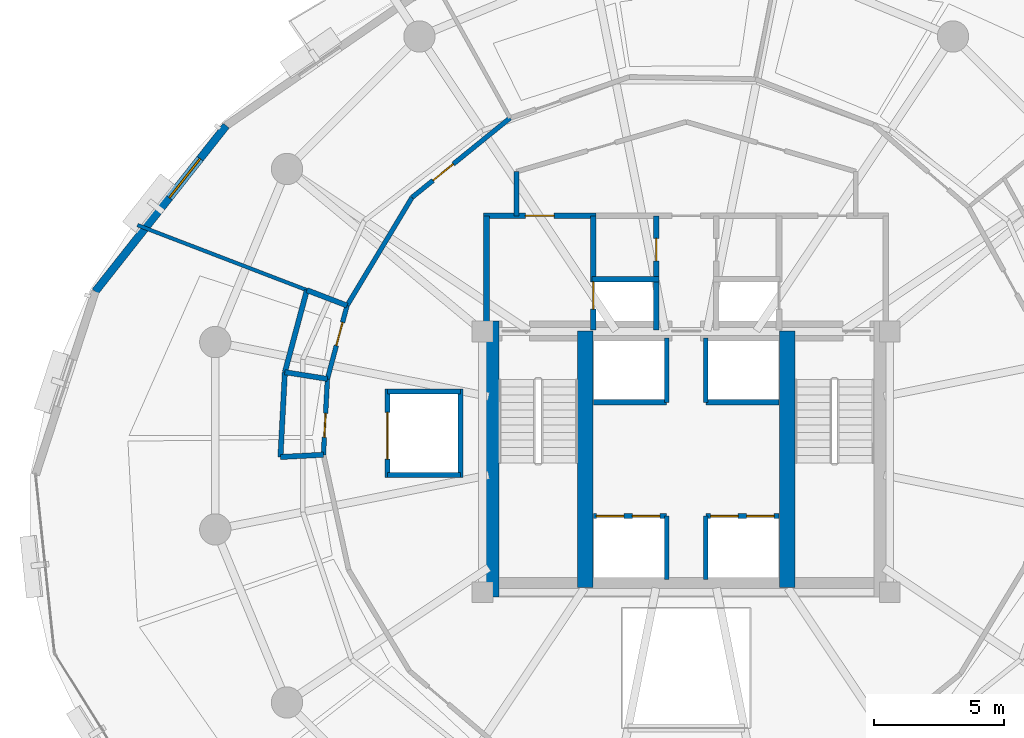
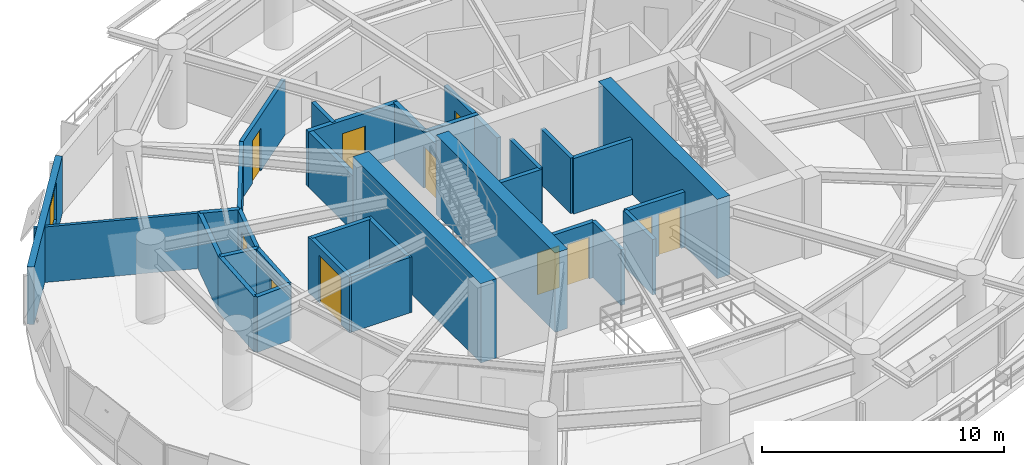
# One storey, part 10 of 15: 32 walls, 11 doors, 1 window, 12 openings.
"""IFC4 building model written with IfcOpenShell, lengths in metres."""

from ifc_helpers import new_model, si_unit, direction, frame, frame_2d, origin, place, context, subcontext, project, spatial, rectangle, extrude, material, layer, layer_set, type_object, element, fill, save


model = new_model("IFC4")

# Units and contexts
model_context = context("Model", 3, precision=1e-05, world=origin(), true_north=direction((0.0, 1.0)))
body_context = subcontext(model_context, "Body", "Model", "MODEL_VIEW")
ifc_project = project(units=[si_unit("LENGTHUNIT", "METRE"), si_unit("AREAUNIT", "SQUARE_METRE"), si_unit("VOLUMEUNIT", "CUBIC_METRE"), si_unit("PLANEANGLEUNIT", "RADIAN"), si_unit("MASSUNIT", "GRAM", prefix="KILO"), si_unit("THERMODYNAMICTEMPERATUREUNIT", "KELVIN"), si_unit("POWERUNIT", "WATT")], contexts=[model_context])

# Site, building, storey
site_placement = place(None, origin())
site = spatial("IfcSite", under=ifc_project, at=site_placement, CompositionType="ELEMENT")
building_placement = place(site_placement, origin())
building = spatial("IfcBuilding", under=site, at=building_placement, Name="Ocrelia Relay Tower", CompositionType="ELEMENT")
storey_placement = place(building_placement, frame((0.0, 0.0, 113.800048828125)))
storey = spatial("IfcBuildingStorey", under=building, at=storey_placement, Name="L26", CompositionType="ELEMENT", Elevation=113.800048828125)

# Walls
ifc_material_1 = material(Name="Concrete C60/75", Category="concrete")
ifc_layer_1 = layer(ifc_material_1, 0.75, Name="Concrete C60/75")
ifc_layer_set_1 = layer_set([ifc_layer_1], Name="Concrete C60/75")
wall_type_1 = type_object("IfcWallType", Name="CW-CORE-750", PredefinedType="SHEAR", material=ifc_layer_set_1)
wall_1_placement = place(storey_placement, frame((26.447021484375, 19.81201171875, 0.0), z_axis=(0.0, 0.0, 1.0), x_axis=(0.0, 1.0, 0.0)))
element("IfcWall", 1, at=wall_1_placement, inside=storey, type_object=wall_type_1, Name="L26 Core Shear Wall W", PredefinedType="SHEAR", context=body_context, shape_type="SweptSolid", body=[
    extrude(rectangle(XDim=10.575927734375, YDim=0.75, at=frame_2d((5.2880859375, 0.0))), origin(), (0.0, 0.0, 1.0), 4.0),
])
for number, where, z_axis, x_axis, name in (
    (2, (30.137939453125, 20.18701171875, 0.0), (0.0, 0.0, 1.0), (0.0, 1.0, 0.0), "L26 Core Shear Wall SPW"),
    (3, (37.8720703125, 20.18701171875, 0.0), (0.0, 0.0, 1.0), (0.0, 1.0, 0.0), "L26 Core Shear Wall SPE"),
):
    element("IfcWall", number, at=place(storey_placement, frame(where, z_axis=z_axis, x_axis=x_axis)), inside=storey, type_object=wall_type_1, Name=name, PredefinedType="SHEAR", context=body_context, shape_type="SweptSolid", body=[
        extrude(rectangle(XDim=9.825927734375, YDim=0.60009765625, at=frame_2d((4.9130859375, 0.0))), origin(), (0.0, 0.0, 1.0), 4.0),
    ])
ifc_material_2 = material(Name="Gypsum Fireboard Partition EI60", Category="gypsum")
ifc_layer_2 = layer(ifc_material_2, 0.179931640625, Name="Gypsum Fireboard Partition EI60")
ifc_layer_set_2 = layer_set([ifc_layer_2], Name="Gypsum Fireboard Partition EI60")
wall_type_2 = type_object("IfcWallType", Name="W-CORR-EI60-180", PredefinedType="PARTITIONING", material=ifc_layer_set_2)
wall_2_placement = place(storey_placement, frame((27.5, 34.429931640625, 0.0), z_axis=(0.0, 0.0, 1.0), x_axis=(0.0, 1.0, 0.0)))
element("IfcWall", 4, at=wall_2_placement, inside=storey, type_object=wall_type_2, Name="L26 Smoke Lobby West Return", PredefinedType="PARTITIONING", context=body_context, shape_type="SweptSolid", body=[
    extrude(rectangle(XDim=1.69287109375, YDim=0.179931640625, at=frame_2d((0.846435546875, 0.0))), origin(), (0.0, 0.0, 1.0), 2.800048828125),
])

# Wall, opening, door
wall_3_placement = place(storey_placement, frame((21.004638671875, 30.988525390625, 0.0), z_axis=(0.0, 0.0, 1.0), x_axis=(-0.258805973518, -0.965929328715, 0.0)))
wall_3 = element("IfcWall", 5, at=wall_3_placement, inside=storey, type_object=wall_type_2, Name="L26 Staff Toilet Corridor Wall", PredefinedType="PARTITIONING", context=body_context, shape_type="SweptSolid", body=[
    extrude(rectangle(XDim=2.91015625, YDim=0.179931640625, at=frame_2d((1.455078125, 0.0))), origin(), (0.0, 0.0, 1.0), 2.800048828125),
])
opening_1_placement = place(wall_3_placement, frame((0.6689453125, 0.0, 0.0)))
opening_1 = element("IfcOpeningElement", 6, at=opening_1_placement, cuts=wall_3, Name="Opening D-WC92", PredefinedType="OPENING", context=body_context, shape_type="SweptSolid", body=[
    extrude(rectangle(XDim=0.919921875, YDim=2.10009765625, at=frame_2d((0.4599609375, 1.050048828125))), frame((0.0, 0.10009765625, 0.0), z_axis=(0.0, -1.0, 0.0), x_axis=(1.0, 0.0, 0.0)), (0.0, 0.0, 1.0), 0.199951171875),
])
ifc_material_3 = material(Name="Laminate washroom door", Category="wood")
door_type_1 = type_object("IfcDoorType", Name="DR-WC-920", OperationType="NOTDEFINED", PredefinedType="DOOR", material=ifc_material_3)
door_1_placement = place(opening_1_placement, origin())
door_1 = element("IfcDoor", 7, at=door_1_placement, inside=storey, type_object=door_type_1, Name="L26 Staff Toilet Door", OperationType="SINGLE_SWING_RIGHT", OverallHeight=2.10009765625, OverallWidth=0.919921875, PredefinedType="DOOR", context=body_context, shape_type="SweptSolid", body=[
    extrude(rectangle(XDim=0.919921875, YDim=2.10009765625, at=frame_2d((0.4599609375, 1.050048828125))), frame((0.0, 0.02490234375, 0.0), z_axis=(0.0, -1.0, 0.0), x_axis=(1.0, 0.0, 0.0)), (0.0, 0.0, 1.0), 0.050048828125),
])
fill(opening_1, door_1)

wall_4_placement = place(storey_placement, frame((20.25146484375, 28.177490234375, 0.0), z_axis=(0.0, 0.0, 1.0), x_axis=(-0.052351870048, -0.99862870062, 0.0)))
wall_4 = element("IfcWall", 8, at=wall_4_placement, inside=storey, type_object=wall_type_2, Name="L26 Accessible Toilet Corridor Wall", PredefinedType="PARTITIONING", context=body_context, shape_type="SweptSolid", body=[
    extrude(rectangle(XDim=2.909912109375, YDim=0.179931640625, at=frame_2d((1.455078125, 0.0))), origin(), (0.0, 0.0, 1.0), 2.800048828125),
])
opening_2_placement = place(wall_4_placement, frame((1.321044921875, 0.0, 0.0)))
opening_2 = element("IfcOpeningElement", 9, at=opening_2_placement, cuts=wall_4, Name="Opening D-WC92", PredefinedType="OPENING", context=body_context, shape_type="SweptSolid", body=[
    extrude(rectangle(XDim=0.919921875, YDim=2.10009765625, at=frame_2d((0.4599609375, 1.050048828125))), frame((0.0, 0.10009765625, 0.0), z_axis=(0.0, -1.0, 0.0), x_axis=(1.0, 0.0, 0.0)), (0.0, 0.0, 1.0), 0.199951171875),
])
door_2_placement = place(opening_2_placement, origin())
door_2 = element("IfcDoor", 10, at=door_2_placement, inside=storey, type_object=door_type_1, Name="L26 Accessible Toilet Door", OperationType="SINGLE_SWING_LEFT", OverallHeight=2.10009765625, OverallWidth=0.919921875, PredefinedType="DOOR", context=body_context, shape_type="SweptSolid", body=[
    extrude(rectangle(XDim=0.919921875, YDim=2.10009765625, at=frame_2d((0.4599609375, 1.050048828125))), frame((0.0, 0.02490234375, 0.0), z_axis=(0.0, -1.0, 0.0), x_axis=(1.0, 0.0, 0.0)), (0.0, 0.0, 1.0), 0.050048828125),
])
fill(opening_2, door_2)

wall_5_placement = place(storey_placement, frame((27.25146484375, 38.1748046875, 0.0), z_axis=(0.0, 0.0, 1.0), x_axis=(-0.777140194095, -0.629327513082, 0.0)))
wall_5 = element("IfcWall", 11, at=wall_5_placement, inside=storey, type_object=wall_type_2, Name="L26 Fiber Patch Store Corridor Partition 1", PredefinedType="PARTITIONING", context=body_context, shape_type="SweptSolid", body=[
    extrude(rectangle(XDim=4.83447265625, YDim=0.179931640625, at=frame_2d((2.417236328125, 0.0))), origin(), (0.0, 0.0, 1.0), 2.800048828125),
])
opening_3_placement = place(wall_5_placement, frame((2.80078125, 0.0, 0.0)))
opening_3 = element("IfcOpeningElement", 12, at=opening_3_placement, cuts=wall_5, Name="Opening D-RM100", PredefinedType="OPENING", context=body_context, shape_type="SweptSolid", body=[
    extrude(rectangle(XDim=1.0, YDim=2.14990234375, at=frame_2d((0.5, 1.074951171875))), frame((0.0, 0.10009765625, 0.0), z_axis=(0.0, -1.0, 0.0), x_axis=(1.0, 0.0, 0.0)), (0.0, 0.0, 1.0), 0.199951171875),
])
ifc_material_4 = material(Name="Acoustic oak veneer fire door", Category="wood")
door_type_2 = type_object("IfcDoorType", Name="DR-ROOM-FD60-1000", OperationType="NOTDEFINED", PredefinedType="DOOR", material=ifc_material_4)
door_3_placement = place(opening_3_placement, origin())
door_3 = element("IfcDoor", 13, at=door_3_placement, inside=storey, type_object=door_type_2, Name="L26 Fiber Patch Store Entrance Door", OperationType="SINGLE_SWING_RIGHT", OverallHeight=2.14990234375, OverallWidth=1.0, PredefinedType="DOOR", context=body_context, shape_type="SweptSolid", body=[
    extrude(rectangle(XDim=1.0, YDim=2.14990234375, at=frame_2d((0.5, 1.074951171875))), frame((0.0, 0.02490234375, 0.0), z_axis=(0.0, -1.0, 0.0), x_axis=(1.0, 0.0, 0.0)), (0.0, 0.0, 1.0), 0.050048828125),
])
fill(opening_3, door_3)

# Wall
wall_6_placement = place(storey_placement, frame((23.494384765625, 35.13232421875, 0.0), z_axis=(0.0, 0.0, 1.0), x_axis=(-0.515022962095, -0.857176381216, 0.0)))
element("IfcWall", 14, at=wall_6_placement, inside=storey, type_object=wall_type_2, Name="L26 Fiber Patch Store Corridor Partition 2", PredefinedType="PARTITIONING", context=body_context, shape_type="SweptSolid", body=[
    extrude(rectangle(XDim=4.834228515625, YDim=0.179931640625, at=frame_2d((2.4169921875, 0.0))), origin(), (0.0, 0.0, 1.0), 2.800048828125),
])

# Wall, opening, window
ifc_material_5 = material(Name="Precast concrete C40/50 with oxide terracotta", Category="masonry")
ifc_layer_3 = layer(ifc_material_5, 0.300048828125, Name="Precast concrete C40/50 with oxide terracotta")
ifc_layer_set_3 = layer_set([ifc_layer_3], Name="Precast concrete C40/50 with oxide terracotta")
wall_type_3 = type_object("IfcWallType", Name="W-EXT-TERR-300", PredefinedType="SOLIDWALL", material=ifc_layer_set_3)
wall_7_placement = place(storey_placement, frame((16.37109375, 37.882080078125, 0.0), z_axis=(0.0, 0.0, 1.0), x_axis=(-0.619524983764, -0.784976938828, 0.0)))
wall_7 = element("IfcWall", 15, at=wall_7_placement, inside=storey, type_object=wall_type_3, Name="L26 Oxide Terracotta Facade Wall 07", PredefinedType="SOLIDWALL", context=body_context, shape_type="SweptSolid", body=[
    extrude(rectangle(XDim=8.09521484375, YDim=0.300048828125, at=frame_2d((4.047607421875, 0.0))), origin(), (0.0, 0.0, 1.0), 2.89990234375),
])
opening_4_placement = place(wall_7_placement, frame((1.614990234375, 0.0, 0.800048828125)))
opening_4 = element("IfcOpeningElement", 16, at=opening_4_placement, cuts=wall_7, Name="Opening W-06", PredefinedType="OPENING", context=body_context, shape_type="SweptSolid", body=[
    extrude(rectangle(XDim=1.89990234375, YDim=1.949951171875, at=frame_2d((0.949951171875, 0.97509765625))), frame((0.0, 0.16015625, 0.0), z_axis=(0.0, -1.0, 0.0), x_axis=(1.0, 0.0, 0.0)), (0.0, 0.0, 1.0), 0.320068359375),
])
ifc_material_6 = material(Name="Clear double-glazed low-E glass", Category="glass")
window_type = type_object("IfcWindowType", Name="WIN-Z2-1900x2100", PartitioningType="DOUBLE_PANEL_VERTICAL", PredefinedType="WINDOW", material=ifc_material_6)
window_placement = place(opening_4_placement, origin())
window = element("IfcWindow", 17, at=window_placement, inside=storey, type_object=window_type, Name="L26 Facade Module Window 07", OverallHeight=1.949951171875, OverallWidth=1.89990234375, PartitioningType="SINGLE_PANEL", PredefinedType="WINDOW", context=body_context, shape_type="SweptSolid", body=[
    extrude(rectangle(XDim=1.89990234375, YDim=1.949951171875, at=frame_2d((0.949951171875, 0.97509765625))), frame((0.0, 0.030029296875, 0.0), z_axis=(0.0, -1.0, 0.0), x_axis=(1.0, 0.0, 0.0)), (0.0, 0.0, 1.0), 0.06005859375),
])
fill(opening_4, window)

# Wall
ifc_material_7 = material(Name="Concrete C50/60", Category="concrete")
ifc_layer_4 = layer(ifc_material_7, 0.219970703125, Name="Concrete C50/60")
ifc_layer_set_4 = layer_set([ifc_layer_4], Name="Concrete C50/60")
wall_type_4 = type_object("IfcWallType", Name="W-FFL-EI120-220", PredefinedType="SOLIDWALL", material=ifc_layer_set_4)
wall_8_placement = place(storey_placement, frame((26.35009765625, 30.050048828125, 0.0), z_axis=(0.0, 0.0, 1.0), x_axis=(0.0, 1.0, 0.0)))
element("IfcWall", 18, at=wall_8_placement, inside=storey, type_object=wall_type_4, Name="L26 W Fire Service Lift Lobby West Wall", PredefinedType="SOLIDWALL", context=body_context, shape_type="SweptSolid", body=[
    extrude(rectangle(XDim=4.3798828125, YDim=0.219970703125, at=frame_2d((2.18994140625, 0.0))), origin(), (0.0, 0.0, 1.0), 2.800048828125),
])

# Wall, opening, door
wall_9_placement = place(storey_placement, frame((30.43994140625, 30.050048828125, 0.0), z_axis=(0.0, 0.0, 1.0), x_axis=(0.0, 1.0, 0.0)))
wall_9 = element("IfcWall", 19, at=wall_9_placement, inside=storey, type_object=wall_type_4, Name="L26 W Fire Service Lift Lobby East Wall", PredefinedType="SOLIDWALL", context=body_context, shape_type="SweptSolid", body=[
    extrude(rectangle(XDim=4.3798828125, YDim=0.219970703125, at=frame_2d((2.18994140625, 0.0))), origin(), (0.0, 0.0, 1.0), 2.800048828125),
])
opening_5_placement = place(wall_9_placement, frame((0.800048828125, 0.0, 0.0)))
opening_5 = element("IfcOpeningElement", 20, at=opening_5_placement, cuts=wall_9, Name="Opening LD-FFL1", PredefinedType="OPENING", context=body_context, shape_type="SweptSolid", body=[
    extrude(rectangle(XDim=1.050048828125, YDim=2.10009765625, at=frame_2d((0.52490234375, 1.050048828125))), frame((0.0, 0.1201171875, 0.0), z_axis=(0.0, -1.0, 0.0), x_axis=(1.0, 0.0, 0.0)), (0.0, 0.0, 1.0), 0.239990234375),
])
ifc_material_8 = material(Name="Brushed stainless steel S355 lift landing door", Category="steel")
door_type_3 = type_object("IfcDoorType", Name="DR-LIFT-LAND-1050", OperationType="DOUBLE_DOOR_SLIDING", PredefinedType="USERDEFINED", material=ifc_material_8)
door_4_placement = place(opening_5_placement, origin())
door_4 = element("IfcDoor", 21, at=door_4_placement, inside=storey, type_object=door_type_3, Name="L26 Firefighting Lift FFL1 Sliding Landing Door", ObjectType="LANDING DOOR", OperationType="DOUBLE_DOOR_SLIDING", OverallHeight=2.10009765625, OverallWidth=1.050048828125, PredefinedType="USERDEFINED", context=body_context, shape_type="SweptSolid", body=[
    extrude(rectangle(XDim=1.050048828125, YDim=2.10009765625, at=frame_2d((0.52490234375, 1.050048828125))), frame((0.0, 0.02490234375, 0.0), z_axis=(0.0, -1.0, 0.0), x_axis=(1.0, 0.0, 0.0)), (0.0, 0.0, 1.0), 0.050048828125),
])
fill(opening_5, door_4)

wall_10_placement = place(storey_placement, frame((26.239990234375, 34.429931640625, 0.0), z_axis=(0.0, 0.0, 1.0), x_axis=(1.0, 0.0, 0.0)))
wall_10 = element("IfcWall", 22, at=wall_10_placement, inside=storey, type_object=wall_type_4, Name="L26 W Fire Service Lift Lobby North Wall", PredefinedType="SOLIDWALL", context=body_context, shape_type="SweptSolid", body=[
    extrude(rectangle(XDim=4.31005859375, YDim=0.219970703125, at=frame_2d((2.155029296875, 0.0))), origin(), (0.0, 0.0, 1.0), 2.800048828125),
])
opening_6_placement = place(wall_10_placement, frame((1.60009765625, 0.0, 0.0)))
opening_6 = element("IfcOpeningElement", 23, at=opening_6_placement, cuts=wall_10, Name="Opening D-FD60", PredefinedType="OPENING", context=body_context, shape_type="SweptSolid", body=[
    extrude(rectangle(XDim=1.10009765625, YDim=2.14990234375, at=frame_2d((0.550048828125, 1.074951171875))), frame((0.0, 0.1201171875, 0.0), z_axis=(0.0, -1.0, 0.0), x_axis=(1.0, 0.0, 0.0)), (0.0, 0.0, 1.0), 0.239990234375),
])
ifc_material_9 = material(Name="Timber-core 60-min acoustic fire door", Category="wood")
door_type_4 = type_object("IfcDoorType", Name="DR-LOBBY-FD60-1100", OperationType="NOTDEFINED", PredefinedType="DOOR", material=ifc_material_9)
door_5_placement = place(opening_6_placement, origin())
door_5 = element("IfcDoor", 24, at=door_5_placement, inside=storey, type_object=door_type_4, Name="L26 W Fire Service Lift Lobby Exit Door", OperationType="SINGLE_SWING_LEFT", OverallHeight=2.14990234375, OverallWidth=1.10009765625, PredefinedType="DOOR", context=body_context, shape_type="SweptSolid", body=[
    extrude(rectangle(XDim=1.10009765625, YDim=2.14990234375, at=frame_2d((0.550048828125, 1.074951171875))), frame((0.0, 0.02490234375, 0.0), z_axis=(0.0, -1.0, 0.0), x_axis=(1.0, 0.0, 0.0)), (0.0, 0.0, 1.0), 0.050048828125),
])
fill(opening_6, door_5)

# Walls
ifc_material_10 = material(Name="Acoustic Fireboard Partition EI60", Category="gypsum")
ifc_layer_5 = layer(ifc_material_10, 0.139892578125, Name="Acoustic Fireboard Partition EI60")
ifc_layer_set_5 = layer_set([ifc_layer_5], Name="Acoustic Fireboard Partition EI60")
wall_type_5 = type_object("IfcWallType", Name="W-PART-140", PredefinedType="PARTITIONING", material=ifc_layer_set_5)
wall_11_placement = place(storey_placement, frame((19.464111328125, 31.579833984375, 0.0), z_axis=(0.0, 0.0, 1.0), x_axis=(-0.933578829384, 0.35837211014, 0.0)))
element("IfcWall", 25, at=wall_11_placement, inside=storey, type_object=wall_type_5, Name="L26 Peering Conference Room Radial Partition", PredefinedType="PARTITIONING", context=body_context, shape_type="SweptSolid", body=[
    extrude(rectangle(XDim=6.954833984375, YDim=0.139892578125, at=frame_2d((3.4775390625, 0.0))), origin(), (0.0, 0.0, 1.0), 2.800048828125),
])
ifc_material_11 = material(Name="Moisture-Resistant Fireboard Chase Wall EI60", Category="gypsum")
ifc_layer_6 = layer(ifc_material_11, 0.199951171875, Name="Moisture-Resistant Fireboard Chase Wall EI60")
ifc_layer_set_6 = layer_set([ifc_layer_6], Name="Moisture-Resistant Fireboard Chase Wall EI60")
wall_type_6 = type_object("IfcWallType", Name="W-PLUMB-200", PredefinedType="PLUMBINGWALL", material=ifc_layer_set_6)
for number, where, z_axis, x_axis, name in (
    (26, (21.004638671875, 30.988525390625, 0.0), (0.0, 0.0, 1.0), (-0.933589438272, 0.358344472186, 0.0), "L26 Staff Toilet Plumbing Radial Wall"),
    (27, (20.25146484375, 28.177490234375, 0.0), (0.0, 0.0, 1.0), (-0.987674038954, 0.156524735352, 0.0), "L26 Staff Toilet Plumbing Radial Wall"),
):
    element("IfcWall", number, at=place(storey_placement, frame(where, z_axis=z_axis, x_axis=x_axis)), inside=storey, type_object=wall_type_6, Name=name, PredefinedType="PLUMBINGWALL", context=body_context, shape_type="SweptSolid", body=[
        extrude(rectangle(XDim=1.650146484375, YDim=0.199951171875, at=frame_2d((0.8251953125, 0.0))), origin(), (0.0, 0.0, 1.0), 2.800048828125),
    ])
wall_12_placement = place(storey_placement, frame((19.464111328125, 31.579833984375, 0.0), z_axis=(0.0, 0.0, 1.0), x_axis=(-0.258843559344, -0.965919257384, 0.0)))
element("IfcWall", 28, at=wall_12_placement, inside=storey, type_object=wall_type_6, Name="L26 Staff Toilet Back Plumbing Wall", PredefinedType="PLUMBINGWALL", context=body_context, shape_type="SweptSolid", body=[
    extrude(rectangle(XDim=3.2548828125, YDim=0.199951171875, at=frame_2d((1.62744140625, 0.0))), origin(), (0.0, 0.0, 1.0), 2.800048828125),
])
wall_13_placement = place(storey_placement, frame((20.09912109375, 25.271484375, 0.0), z_axis=(0.0, 0.0, 1.0), x_axis=(-0.998627214556, -0.052380209506, 0.0)))
element("IfcWall", 29, at=wall_13_placement, inside=storey, type_object=wall_type_6, Name="L26 Accessible Toilet Plumbing Radial Wall", PredefinedType="PLUMBINGWALL", context=body_context, shape_type="SweptSolid", body=[
    extrude(rectangle(XDim=1.64990234375, YDim=0.199951171875, at=frame_2d((0.824951171875, 0.0))), origin(), (0.0, 0.0, 1.0), 2.800048828125),
])
wall_14_placement = place(storey_placement, frame((18.62158203125, 28.435791015625, 0.0), z_axis=(0.0, 0.0, 1.0), x_axis=(-0.052275403404, -0.998632706354, 0.0)))
element("IfcWall", 30, at=wall_14_placement, inside=storey, type_object=wall_type_6, Name="L26 Accessible Toilet Back Plumbing Wall", PredefinedType="PLUMBINGWALL", context=body_context, shape_type="SweptSolid", body=[
    extrude(rectangle(XDim=3.255126953125, YDim=0.199951171875, at=frame_2d((1.62744140625, 0.0))), origin(), (0.0, 0.0, 1.0), 2.800048828125),
])
ifc_layer_7 = layer(ifc_material_7, 0.199951171875, Name="Concrete C50/60")
ifc_layer_set_7 = layer_set([ifc_layer_7], Name="Concrete C50/60")
wall_type_7 = type_object("IfcWallType", Name="W-SHAFT-EI120-200", PredefinedType="SOLIDWALL", material=ifc_layer_set_7)
wall_15_placement = place(storey_placement, frame((30.39990234375, 32.0, 0.0), z_axis=(0.0, 0.0, 1.0), x_axis=(1.0, 0.0, 0.0)))
element("IfcWall", 31, at=wall_15_placement, inside=storey, type_object=wall_type_7, Name="L26 FFL1 Hoistway North Wall", PredefinedType="SOLIDWALL", context=body_context, shape_type="SweptSolid", body=[
    extrude(rectangle(XDim=2.550048828125, YDim=0.199951171875, at=frame_2d((1.27490234375, 0.0))), origin(), (0.0, 0.0, 1.0), 2.800048828125),
])

# Wall, opening, door
wall_16_placement = place(storey_placement, frame((32.85009765625, 30.050048828125, 0.0), z_axis=(0.0, 0.0, 1.0), x_axis=(0.0, 1.0, 0.0)))
wall_16 = element("IfcWall", 32, at=wall_16_placement, inside=storey, type_object=wall_type_7, Name="L26 FFL1 and Service Vestibule Wall", PredefinedType="SOLIDWALL", context=body_context, shape_type="SweptSolid", body=[
    extrude(rectangle(XDim=4.3798828125, YDim=0.199951171875, at=frame_2d((2.18994140625, 0.0))), origin(), (0.0, 0.0, 1.0), 2.800048828125),
])
opening_7_placement = place(wall_16_placement, frame((2.64990234375, 0.0, 0.0)))
opening_7 = element("IfcOpeningElement", 33, at=opening_7_placement, cuts=wall_16, Name="Opening D-RS86", PredefinedType="OPENING", context=body_context, shape_type="SweptSolid", body=[
    extrude(rectangle(XDim=0.860107421875, YDim=2.050048828125, at=frame_2d((0.43017578125, 1.02490234375))), frame((0.0, 0.10986328125, 0.0), z_axis=(0.0, -1.0, 0.0), x_axis=(1.0, 0.0, 0.0)), (0.0, 0.0, 1.0), 0.219970703125),
])
ifc_material_12 = material(Name="Steel S355 riser access fire door", Category="steel")
door_type_5 = type_object("IfcDoorType", Name="DR-RISER-TRAP-860", OperationType="NOTDEFINED", PredefinedType="TRAPDOOR", material=ifc_material_12)
door_6_placement = place(opening_7_placement, origin())
door_6 = element("IfcDoor", 34, at=door_6_placement, inside=storey, type_object=door_type_5, Name="L26 Core Support Room W Door", OperationType="SINGLE_SWING_RIGHT", OverallHeight=2.050048828125, OverallWidth=0.860107421875, PredefinedType="TRAPDOOR", context=body_context, shape_type="SweptSolid", body=[
    extrude(rectangle(XDim=0.860107421875, YDim=2.050048828125, at=frame_2d((0.43017578125, 1.02490234375))), frame((0.0, 0.02490234375, 0.0), z_axis=(0.0, -1.0, 0.0), x_axis=(1.0, 0.0, 0.0)), (0.0, 0.0, 1.0), 0.050048828125),
])
fill(opening_7, door_6)

# Wall, openings, doors
wall_17_placement = place(storey_placement, frame((30.43994140625, 22.919921875, 0.0), z_axis=(0.0, 0.0, 1.0), x_axis=(1.0, 0.0, 0.0)))
wall_17 = element("IfcWall", 35, at=wall_17_placement, inside=storey, type_object=wall_type_7, Name="L26 Low-Rise Lift Hoistway Wall W", PredefinedType="SOLIDWALL", context=body_context, shape_type="SweptSolid", body=[
    extrude(rectangle(XDim=2.81005859375, YDim=0.199951171875, at=frame_2d((1.405029296875, 0.0))), origin(), (0.0, 0.0, 1.0), 2.800048828125),
])
opening_8_placement = place(wall_17_placement, frame((0.1201171875, 0.0, 0.0)))
opening_8 = element("IfcOpeningElement", 36, at=opening_8_placement, cuts=wall_17, Name="Opening LD-PL1", PredefinedType="OPENING", context=body_context, shape_type="SweptSolid", body=[
    extrude(rectangle(XDim=1.050048828125, YDim=2.10009765625, at=frame_2d((0.52490234375, 1.050048828125))), frame((0.0, 0.10986328125, 0.0), z_axis=(0.0, -1.0, 0.0), x_axis=(1.0, 0.0, 0.0)), (0.0, 0.0, 1.0), 0.219970703125),
])
opening_9_placement = place(wall_17_placement, frame((1.5, 0.0, 0.0)))
opening_9 = element("IfcOpeningElement", 37, at=opening_9_placement, cuts=wall_17, Name="Opening LD-PL2", PredefinedType="OPENING", context=body_context, shape_type="SweptSolid", body=[
    extrude(rectangle(XDim=1.050048828125, YDim=2.10009765625, at=frame_2d((0.52490234375, 1.050048828125))), frame((0.0, 0.10986328125, 0.0), z_axis=(0.0, -1.0, 0.0), x_axis=(1.0, 0.0, 0.0)), (0.0, 0.0, 1.0), 0.219970703125),
])
door_7_placement = place(opening_8_placement, origin())
door_7 = element("IfcDoor", 38, at=door_7_placement, inside=storey, type_object=door_type_3, Name="L26 Passenger Lift PL1 Sliding Landing Door", ObjectType="LANDING DOOR", OperationType="DOUBLE_DOOR_SLIDING", OverallHeight=2.10009765625, OverallWidth=1.050048828125, PredefinedType="USERDEFINED", context=body_context, shape_type="SweptSolid", body=[
    extrude(rectangle(XDim=1.050048828125, YDim=2.10009765625, at=frame_2d((0.52490234375, 1.050048828125))), frame((0.0, 0.02490234375, 0.0), z_axis=(0.0, -1.0, 0.0), x_axis=(1.0, 0.0, 0.0)), (0.0, 0.0, 1.0), 0.050048828125),
])
fill(opening_8, door_7)
door_8_placement = place(opening_9_placement, origin())
door_8 = element("IfcDoor", 39, at=door_8_placement, inside=storey, type_object=door_type_3, Name="L26 Passenger Lift PL2 Sliding Landing Door", ObjectType="LANDING DOOR", OperationType="DOUBLE_DOOR_SLIDING", OverallHeight=2.10009765625, OverallWidth=1.050048828125, PredefinedType="USERDEFINED", context=body_context, shape_type="SweptSolid", body=[
    extrude(rectangle(XDim=1.050048828125, YDim=2.10009765625, at=frame_2d((0.52490234375, 1.050048828125))), frame((0.0, 0.02490234375, 0.0), z_axis=(0.0, -1.0, 0.0), x_axis=(1.0, 0.0, 0.0)), (0.0, 0.0, 1.0), 0.050048828125),
])
fill(opening_9, door_8)

# Wall
wall_18_placement = place(storey_placement, frame((33.25, 20.5, 0.0), z_axis=(0.0, 0.0, 1.0), x_axis=(0.0, 1.0, 0.0)))
element("IfcWall", 40, at=wall_18_placement, inside=storey, type_object=wall_type_7, Name="L26 Low-Rise Lift Throat Wall W", PredefinedType="SOLIDWALL", context=body_context, shape_type="SweptSolid", body=[
    extrude(rectangle(XDim=2.419921875, YDim=0.179931640625, at=frame_2d((1.2099609375, 0.0))), origin(), (0.0, 0.0, 1.0), 2.800048828125),
])

# Wall, openings, doors
wall_19_placement = place(storey_placement, frame((34.75, 22.919921875, 0.0), z_axis=(0.0, 0.0, 1.0), x_axis=(1.0, 0.0, 0.0)))
wall_19 = element("IfcWall", 41, at=wall_19_placement, inside=storey, type_object=wall_type_7, Name="L26 Low-Rise Lift Hoistway Wall E", PredefinedType="SOLIDWALL", context=body_context, shape_type="SweptSolid", body=[
    extrude(rectangle(XDim=2.81005859375, YDim=0.199951171875, at=frame_2d((1.405029296875, 0.0))), origin(), (0.0, 0.0, 1.0), 2.800048828125),
])
opening_10_placement = place(wall_19_placement, frame((0.18994140625, 0.0, 0.0)))
opening_10 = element("IfcOpeningElement", 42, at=opening_10_placement, cuts=wall_19, Name="Opening LD-PL3", PredefinedType="OPENING", context=body_context, shape_type="SweptSolid", body=[
    extrude(rectangle(XDim=1.050048828125, YDim=2.10009765625, at=frame_2d((0.52490234375, 1.050048828125))), frame((0.0, 0.10986328125, 0.0), z_axis=(0.0, -1.0, 0.0), x_axis=(1.0, 0.0, 0.0)), (0.0, 0.0, 1.0), 0.219970703125),
])
opening_11_placement = place(wall_19_placement, frame((1.570068359375, 0.0, 0.0)))
opening_11 = element("IfcOpeningElement", 43, at=opening_11_placement, cuts=wall_19, Name="Opening LD-PL4", PredefinedType="OPENING", context=body_context, shape_type="SweptSolid", body=[
    extrude(rectangle(XDim=1.050048828125, YDim=2.10009765625, at=frame_2d((0.52490234375, 1.050048828125))), frame((0.0, 0.10986328125, 0.0), z_axis=(0.0, -1.0, 0.0), x_axis=(1.0, 0.0, 0.0)), (0.0, 0.0, 1.0), 0.219970703125),
])
door_9_placement = place(opening_10_placement, origin())
door_9 = element("IfcDoor", 44, at=door_9_placement, inside=storey, type_object=door_type_3, Name="L26 Passenger Lift PL3 Sliding Landing Door", ObjectType="LANDING DOOR", OperationType="DOUBLE_DOOR_SLIDING", OverallHeight=2.10009765625, OverallWidth=1.050048828125, PredefinedType="USERDEFINED", context=body_context, shape_type="SweptSolid", body=[
    extrude(rectangle(XDim=1.050048828125, YDim=2.10009765625, at=frame_2d((0.52490234375, 1.050048828125))), frame((0.0, 0.02490234375, 0.0), z_axis=(0.0, -1.0, 0.0), x_axis=(1.0, 0.0, 0.0)), (0.0, 0.0, 1.0), 0.050048828125),
])
fill(opening_10, door_9)
door_10_placement = place(opening_11_placement, origin())
door_10 = element("IfcDoor", 45, at=door_10_placement, inside=storey, type_object=door_type_3, Name="L26 Passenger Lift PL4 Sliding Landing Door", ObjectType="LANDING DOOR", OperationType="DOUBLE_DOOR_SLIDING", OverallHeight=2.10009765625, OverallWidth=1.050048828125, PredefinedType="USERDEFINED", context=body_context, shape_type="SweptSolid", body=[
    extrude(rectangle(XDim=1.050048828125, YDim=2.10009765625, at=frame_2d((0.52490234375, 1.050048828125))), frame((0.0, 0.02490234375, 0.0), z_axis=(0.0, -1.0, 0.0), x_axis=(1.0, 0.0, 0.0)), (0.0, 0.0, 1.0), 0.050048828125),
])
fill(opening_11, door_10)

# Walls
wall_20_placement = place(storey_placement, frame((34.75, 20.5, 0.0), z_axis=(0.0, 0.0, 1.0), x_axis=(0.0, 1.0, 0.0)))
element("IfcWall", 46, at=wall_20_placement, inside=storey, type_object=wall_type_7, Name="L26 Low-Rise Lift Throat Wall E", PredefinedType="SOLIDWALL", context=body_context, shape_type="SweptSolid", body=[
    extrude(rectangle(XDim=2.419921875, YDim=0.179931640625, at=frame_2d((1.2099609375, 0.0))), origin(), (0.0, 0.0, 1.0), 2.800048828125),
])
wall_21_placement = place(storey_placement, frame((30.43994140625, 27.280029296875, 0.0), z_axis=(0.0, 0.0, 1.0), x_axis=(1.0, 0.0, 0.0)))
element("IfcWall", 47, at=wall_21_placement, inside=storey, type_object=wall_type_7, Name="L26 High-Rise Lift Hoistway Wall W", PredefinedType="SOLIDWALL", context=body_context, shape_type="SweptSolid", body=[
    extrude(rectangle(XDim=2.81005859375, YDim=0.199951171875, at=frame_2d((1.405029296875, 0.0))), origin(), (0.0, 0.0, 1.0), 2.800048828125),
])
wall_22_placement = place(storey_placement, frame((33.25, 27.280029296875, 0.0), z_axis=(0.0, 0.0, 1.0), x_axis=(0.0, 1.0, 0.0)))
element("IfcWall", 48, at=wall_22_placement, inside=storey, type_object=wall_type_7, Name="L26 High-Rise Lift Throat Wall W", PredefinedType="SOLIDWALL", context=body_context, shape_type="SweptSolid", body=[
    extrude(rectangle(XDim=2.469970703125, YDim=0.179931640625, at=frame_2d((1.23486328125, 0.0))), origin(), (0.0, 0.0, 1.0), 2.800048828125),
])
wall_23_placement = place(storey_placement, frame((34.75, 27.280029296875, 0.0), z_axis=(0.0, 0.0, 1.0), x_axis=(1.0, 0.0, 0.0)))
element("IfcWall", 49, at=wall_23_placement, inside=storey, type_object=wall_type_7, Name="L26 High-Rise Lift Hoistway Wall E", PredefinedType="SOLIDWALL", context=body_context, shape_type="SweptSolid", body=[
    extrude(rectangle(XDim=2.81005859375, YDim=0.199951171875, at=frame_2d((1.405029296875, 0.0))), origin(), (0.0, 0.0, 1.0), 2.800048828125),
])
wall_24_placement = place(storey_placement, frame((34.75, 27.280029296875, 0.0), z_axis=(0.0, 0.0, 1.0), x_axis=(0.0, 1.0, 0.0)))
element("IfcWall", 50, at=wall_24_placement, inside=storey, type_object=wall_type_7, Name="L26 High-Rise Lift Throat Wall E", PredefinedType="SOLIDWALL", context=body_context, shape_type="SweptSolid", body=[
    extrude(rectangle(XDim=2.469970703125, YDim=0.179931640625, at=frame_2d((1.23486328125, 0.0))), origin(), (0.0, 0.0, 1.0), 2.800048828125),
])

# Wall, opening, door
wall_25_placement = place(storey_placement, frame((22.550048828125, 24.39990234375, 0.0), z_axis=(0.0, 0.0, 1.0), x_axis=(0.0, 1.0, 0.0)))
wall_25 = element("IfcWall", 51, at=wall_25_placement, inside=storey, type_object=wall_type_7, Name="L26 Goods Lift Shaft West Wall", PredefinedType="SOLIDWALL", context=body_context, shape_type="SweptSolid", body=[
    extrude(rectangle(XDim=3.400146484375, YDim=0.199951171875, at=frame_2d((1.7001953125, 0.0))), origin(), (0.0, 0.0, 1.0), 2.800048828125),
])
opening_12_placement = place(wall_25_placement, frame((0.699951171875, 0.0, 0.0)))
opening_12 = element("IfcOpeningElement", 52, at=opening_12_placement, cuts=wall_25, Name="Opening LD-GL1", PredefinedType="OPENING", context=body_context, shape_type="SweptSolid", body=[
    extrude(rectangle(XDim=1.800048828125, YDim=2.39990234375, at=frame_2d((0.89990234375, 1.199951171875))), frame((0.0, 0.10986328125, 0.0), z_axis=(0.0, -1.0, 0.0), x_axis=(1.0, 0.0, 0.0)), (0.0, 0.0, 1.0), 0.219970703125),
])
ifc_material_13 = material(Name="Heavy-duty stainless steel S355 goods landing door", Category="steel")
door_type_6 = type_object("IfcDoorType", Name="DR-GOODS-LAND-1800", OperationType="DOUBLE_DOOR_SLIDING", PredefinedType="USERDEFINED", material=ifc_material_13)
door_11_placement = place(opening_12_placement, origin())
door_11 = element("IfcDoor", 53, at=door_11_placement, inside=storey, type_object=door_type_6, Name="L26 Goods Lift GL1 Sliding Landing Door", ObjectType="LANDING DOOR", OperationType="DOUBLE_DOOR_SLIDING", OverallHeight=2.39990234375, OverallWidth=1.800048828125, PredefinedType="USERDEFINED", context=body_context, shape_type="SweptSolid", body=[
    extrude(rectangle(XDim=1.800048828125, YDim=2.39990234375, at=frame_2d((0.89990234375, 1.199951171875))), frame((0.0, 0.02490234375, 0.0), z_axis=(0.0, -1.0, 0.0), x_axis=(1.0, 0.0, 0.0)), (0.0, 0.0, 1.0), 0.050048828125),
])
fill(opening_12, door_11)

# Walls
wall_26_placement = place(storey_placement, frame((25.35009765625, 24.39990234375, 0.0), z_axis=(0.0, 0.0, 1.0), x_axis=(0.0, 1.0, 0.0)))
element("IfcWall", 54, at=wall_26_placement, inside=storey, type_object=wall_type_7, Name="L26 Goods Lift Shaft E Wall", PredefinedType="SOLIDWALL", context=body_context, shape_type="SweptSolid", body=[
    extrude(rectangle(XDim=3.400146484375, YDim=0.199951171875, at=frame_2d((1.7001953125, 0.0))), origin(), (0.0, 0.0, 1.0), 2.800048828125),
])
for number, where, z_axis, x_axis, name in (
    (55, (22.550048828125, 24.5, 0.0), (0.0, 0.0, 1.0), (1.0, 0.0, 0.0), "L26 Goods Lift Shaft S Wall"),
    (56, (22.550048828125, 27.699951171875, 0.0), (0.0, 0.0, 1.0), (1.0, 0.0, 0.0), "L26 Goods Lift Shaft N Wall"),
):
    element("IfcWall", number, at=place(storey_placement, frame(where, z_axis=z_axis, x_axis=x_axis)), inside=storey, type_object=wall_type_7, Name=name, PredefinedType="SOLIDWALL", context=body_context, shape_type="SweptSolid", body=[
        extrude(rectangle(XDim=2.800048828125, YDim=0.199951171875, at=frame_2d((1.39990234375, 0.0))), origin(), (0.0, 0.0, 1.0), 2.800048828125),
    ])

save(model, "model.ifc")
